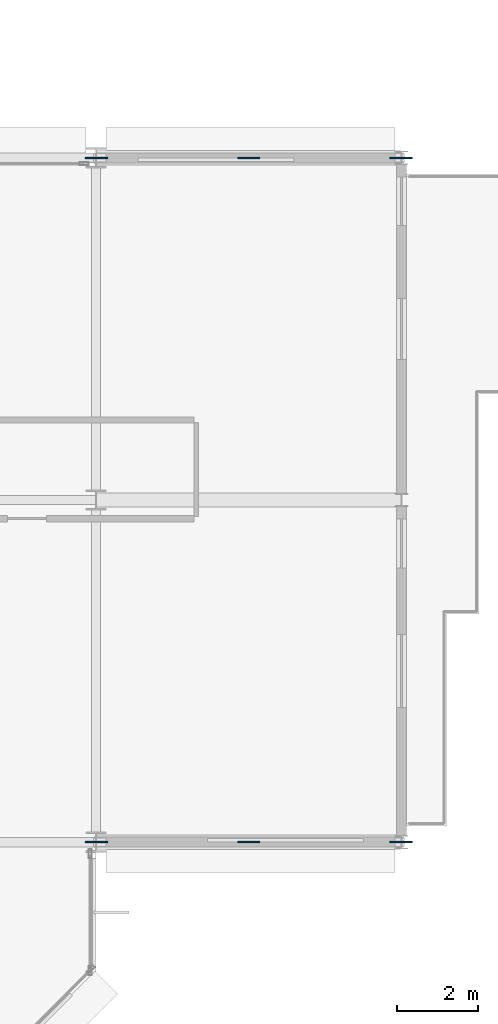
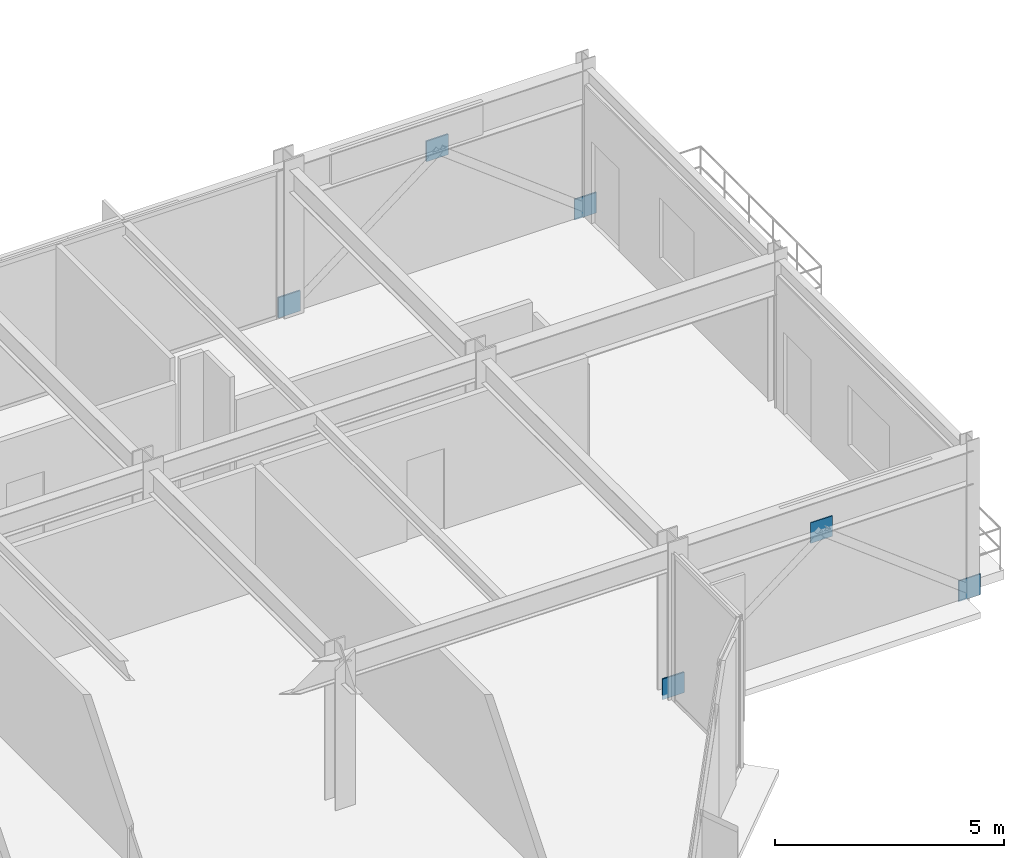
# One storey, part 22 of 30: 6 plates.
"""IFC4 building model written with IfcOpenShell, lengths in metres."""

import ifcopenshell
import ifcopenshell.guid

model = None  # the IFC model being written
_history = None  # IfcOwnerHistory: only IFC2X3 demands one
_inside = {}  # id of a spatial element -> (the spatial element, [elements in it])
_under = {}  # id of a project, library or spatial element -> (it, [spatial elements below it])
_declared = {}  # id of a project -> (the project, [libraries it declares])
_typed = {}  # id of a type object -> (the type object, [elements of that type])
_made_of = {}  # id of a material, layer set ... -> (it, [elements and type objects made of it])


def new_model(schema):
    """Start an empty IFC model of exactly this schema.

    Asked for "IFC4X3", IfcOpenShell would pick the latest addendum, in which some entities
    have other attributes; the version numbers below select the first issue.
    IFC2X3 requires an IfcOwnerHistory on every rooted entity: one is made here for all.
    """
    global model, _history
    if schema == "IFC4X3":
        model = ifcopenshell.file(schema_version=(4, 3, 0, 0))
    else:
        model = ifcopenshell.file(schema=schema)
    _inside.clear()
    _under.clear()
    _declared.clear()
    _typed.clear()
    _made_of.clear()
    _history = None
    if model.schema == "IFC2X3":
        org = make("IfcOrganization", Name="unknown")
        user = make(
            "IfcPersonAndOrganization",
            ThePerson=make("IfcPerson", FamilyName="unknown"),
            TheOrganization=org,
        )
        app = make(
            "IfcApplication",
            ApplicationDeveloper=org,
            Version="unknown",
            ApplicationFullName="unknown",
            ApplicationIdentifier="unknown",
        )
        _history = make(
            "IfcOwnerHistory",
            OwningUser=user,
            OwningApplication=app,
            ChangeAction="ADDED",
            CreationDate=0,
        )
    return model


def make(cls, **values):
    """One entity of the class cls with the attributes given. An attribute that is None is left unset."""
    return model.create_entity(
        cls, **{name: value for name, value in values.items() if value is not None}
    )


def rooted(cls, **values):
    """An entity with a GlobalId (a new one), such as an element, a storey or a relation."""
    return make(cls, GlobalId=ifcopenshell.guid.new(), OwnerHistory=_history, **values)


def si_unit(unit_type, name, prefix=None):
    """IfcSIUnit, for example si_unit("LENGTHUNIT", "METRE", prefix="MILLI")."""
    return make("IfcSIUnit", UnitType=unit_type, Prefix=prefix, Name=name)


def assignment(units):
    """IfcUnitAssignment: the units of a project."""
    return None if units is None else make("IfcUnitAssignment", Units=units)


def point(xyz):
    """IfcCartesianPoint."""
    return None if xyz is None else make("IfcCartesianPoint", Coordinates=xyz)


def direction(xyz):
    """IfcDirection."""
    return None if xyz is None else make("IfcDirection", DirectionRatios=xyz)


def frame(location, z_axis=None, x_axis=None):
    """IfcAxis2Placement3D, a coordinate frame: its origin and axes. An axis left out is left unset."""
    return make(
        "IfcAxis2Placement3D",
        Location=point(location),
        Axis=direction(z_axis),
        RefDirection=direction(x_axis),
    )


def frame_2d(location, x_axis=None):
    """IfcAxis2Placement2D, a coordinate frame in the plane: its origin and x axis."""
    return make(
        "IfcAxis2Placement2D", Location=point(location), RefDirection=direction(x_axis)
    )


def origin():
    """The frame at (0, 0, 0) with its axes left unset."""
    return frame((0.0, 0.0, 0.0))


def origin_2d():
    """The frame at (0, 0) in the plane with its x axis left unset."""
    return frame_2d((0.0, 0.0))


def place(relative_to, where):
    """IfcLocalPlacement: puts the frame where relative to a parent placement (None: the world)."""
    return make(
        "IfcLocalPlacement", PlacementRelTo=relative_to, RelativePlacement=where
    )


def context(
    kind, dimensions, precision=None, world=None, true_north=None, identifier=None
):
    """IfcGeometricRepresentationContext, for example the 3D "Model" context."""
    return make(
        "IfcGeometricRepresentationContext",
        ContextIdentifier=identifier,
        ContextType=kind,
        CoordinateSpaceDimension=dimensions,
        Precision=precision,
        WorldCoordinateSystem=world,
        TrueNorth=true_north,
    )


def subcontext(parent, identifier, kind, view, scale=None):
    """IfcGeometricRepresentationSubContext, for example "Body" below "Model"."""
    return make(
        "IfcGeometricRepresentationSubContext",
        ContextIdentifier=identifier,
        ContextType=kind,
        ParentContext=parent,
        TargetScale=scale,
        TargetView=view,
    )


def project(units=None, contexts=None):
    """IfcProject with its units and contexts."""
    return rooted(
        "IfcProject",
        Name="project",
        RepresentationContexts=contexts,
        UnitsInContext=assignment(units),
    )


def spatial(cls, under=None, at=None, **own):
    """A site, building, storey or space (cls), placed at a placement, below another one or the project."""
    s = rooted(cls, ObjectPlacement=at, **own)
    if under is not None:
        _under.setdefault(under.id(), (under, []))[1].append(s)
    return s


def profile(cls, at=None, kind="AREA", **sizes):
    """A parametric profile (cls). Its sizes go by their IFC names, for example OverallWidth=200.0."""
    return make(cls, ProfileType=kind, Position=at, **sizes)


def rectangle(**sizes):
    """IfcRectangleProfileDef."""
    return profile("IfcRectangleProfileDef", **sizes)


def extrude(swept, where, along, depth):
    """IfcExtrudedAreaSolid: the profile swept, set in the frame where, extruded along a direction by depth."""
    return make(
        "IfcExtrudedAreaSolid",
        SweptArea=swept,
        Position=where,
        ExtrudedDirection=direction(along),
        Depth=depth,
    )


def shape(context_of_items, identifier, shape_type, items):
    """IfcShapeRepresentation: the items that make up one representation, for example the "Body"."""
    return make(
        "IfcShapeRepresentation",
        ContextOfItems=context_of_items,
        RepresentationIdentifier=identifier,
        RepresentationType=shape_type,
        Items=items,
    )


def material(Name=None, Category=None):
    """IfcMaterial."""
    return make("IfcMaterial", Name=Name, Category=Category)


def layer(
    of_material, thickness, ventilated=None, Name=None, Category=None, Priority=None
):
    """IfcMaterialLayer: one layer of a wall or slab, of a material (None: an air gap)."""
    return make(
        "IfcMaterialLayer",
        Material=of_material,
        LayerThickness=thickness,
        IsVentilated=ventilated,
        Name=Name,
        Category=Category,
        Priority=Priority,
    )


def layer_set(layers, Name=None):
    """IfcMaterialLayerSet."""
    return make("IfcMaterialLayerSet", MaterialLayers=layers, LayerSetName=Name)


def made_of(thing, what):
    """Note that an element or type object is made of a material, layer set ...; save() writes the relation."""
    if what is not None:
        _made_of.setdefault(what.id(), (what, []))[1].append(thing)
    return thing


def type_object(cls, material=None, **own):
    """A type object (cls), such as IfcWallType, which elements share."""
    return made_of(rooted(cls, **own), material)


def element(
    cls,
    number,
    at=None,
    inside=None,
    cuts=None,
    type_object=None,
    material=None,
    context=None,
    identifier="Body",
    shape_type=None,
    held_by="IfcProductDefinitionShape",
    body=None,
    shapes=None,
    **own,
):
    """One element of the class cls, such as IfcWall. Its Tag is "e" and its number.

    at: its placement. inside: the storey or other place that contains it. cuts: it is an
    opening in that element (IfcRelVoidsElement). A single representation is given by context,
    identifier, shape_type and body (its items); several are given by shapes. held_by: the class
    of the entity that holds the representations. save() writes the other relations.
    """
    e = rooted(cls, Tag="e%d" % number, ObjectPlacement=at, **own)
    if body is not None:
        shapes = [shape(context, identifier, shape_type, body)]
    if shapes is not None:
        e.Representation = make(held_by, Representations=shapes)
    if inside is not None:
        _inside.setdefault(inside.id(), (inside, []))[1].append(e)
    if cuts is not None:
        rooted(
            "IfcRelVoidsElement", RelatingBuildingElement=cuts, RelatedOpeningElement=e
        )
    if type_object is not None:
        _typed.setdefault(type_object.id(), (type_object, []))[1].append(e)
    return made_of(e, material)


def aggregate(whole, parts):
    """IfcRelAggregates: a whole, such as a stair, and the parts it consists of."""
    return rooted("IfcRelAggregates", RelatingObject=whole, RelatedObjects=parts)


def save(model, path):
    """Write the relations noted so far, then the file.

    IfcRelAggregates (storeys below a building ...), IfcRelContainedInSpatialStructure (elements
    in a storey), IfcRelDefinesByType, IfcRelAssociatesMaterial and IfcRelDeclares: one each for
    every whole, place, type object, material and project.
    """
    for whole, parts in _under.values():
        aggregate(whole, parts)
    for where, things in _inside.values():
        rooted(
            "IfcRelContainedInSpatialStructure",
            RelatedElements=things,
            RelatingStructure=where,
        )
    for kind, things in _typed.values():
        rooted("IfcRelDefinesByType", RelatedObjects=things, RelatingType=kind)
    for what, things in _made_of.values():
        rooted("IfcRelAssociatesMaterial", RelatedObjects=things, RelatingMaterial=what)
    for by, libraries in _declared.values():
        rooted("IfcRelDeclares", RelatingContext=by, RelatedDefinitions=libraries)
    model.write(path)


model = new_model("IFC4")

# Units and contexts
model_context = context("Model", 3, precision=1e-05, world=origin(), true_north=direction((0.0, 1.0)))
body_context = subcontext(model_context, "Body", "Model", "MODEL_VIEW")
ifc_project = project(units=[si_unit("LENGTHUNIT", "METRE"), si_unit("AREAUNIT", "SQUARE_METRE"), si_unit("VOLUMEUNIT", "CUBIC_METRE"), si_unit("PLANEANGLEUNIT", "RADIAN"), si_unit("MASSUNIT", "GRAM", prefix="KILO")], contexts=[model_context])

# Site, building, storey
site_placement = place(None, origin())
site = spatial("IfcSite", under=ifc_project, at=site_placement, CompositionType="ELEMENT")
building_placement = place(site_placement, origin())
building = spatial("IfcBuilding", under=site, at=building_placement, Name="Nerrivon Quay Data Exchange", CompositionType="ELEMENT")
storey_placement = place(building_placement, frame((0.0, 0.0, 62.60009765625)))
storey = spatial("IfcBuildingStorey", under=building, at=storey_placement, Name="L14", CompositionType="ELEMENT", Elevation=62.60009765625)

# Plates
ifc_material = material(Name="Steel Grade 350", Category="steel")
ifc_layer = layer(ifc_material, 0.0400390625)
ifc_layer_set = layer_set([ifc_layer], Name="Steel Grade 350")
plate_type = type_object("IfcPlateType", Name="PLT-TN01", PredefinedType="USERDEFINED", material=ifc_layer_set)
for number, where, z_axis, x_axis, name in (
    (1, (50.4140625, 8.39990234375, -0.115234375), (0.0, 0.0, 1.0), (1.0, 0.0, 0.0), "L14 node plate 7"),
    (2, (54.14990234375, 8.39990234375, 2.75), (0.0, 0.0, 1.0), (1.0, 0.0, 0.0), "L14 node plate 8"),
    (3, (57.89208984375, 8.39990234375, -0.115234375), (0.0, 0.0, 1.0), (1.0, 0.0, 0.0), "L14 node plate 9"),
    (4, (50.4140625, 25.199951171875, -0.115234375), (0.0, 0.0, 1.0), (1.0, 0.0, 0.0), "L14 node plate 10"),
    (5, (54.14990234375, 25.199951171875, 2.75), (0.0, 0.0, 1.0), (1.0, 0.0, 0.0), "L14 node plate 11"),
    (6, (57.89208984375, 25.199951171875, -0.115234375), (0.0, 0.0, 1.0), (1.0, 0.0, 0.0), "L14 node plate 12"),
):
    element("IfcPlate", number, at=place(storey_placement, frame(where, z_axis=z_axis, x_axis=x_axis)), inside=storey, type_object=plate_type, Name=name, ObjectType="GUSSET PLATE", PredefinedType="USERDEFINED", context=body_context, shape_type="SweptSolid", body=[
        extrude(rectangle(XDim=0.550048828125, YDim=0.035888671875, at=origin_2d()), origin(), (0.0, 0.0, 1.0), 0.550048828125),
    ])

save(model, "model.ifc")
